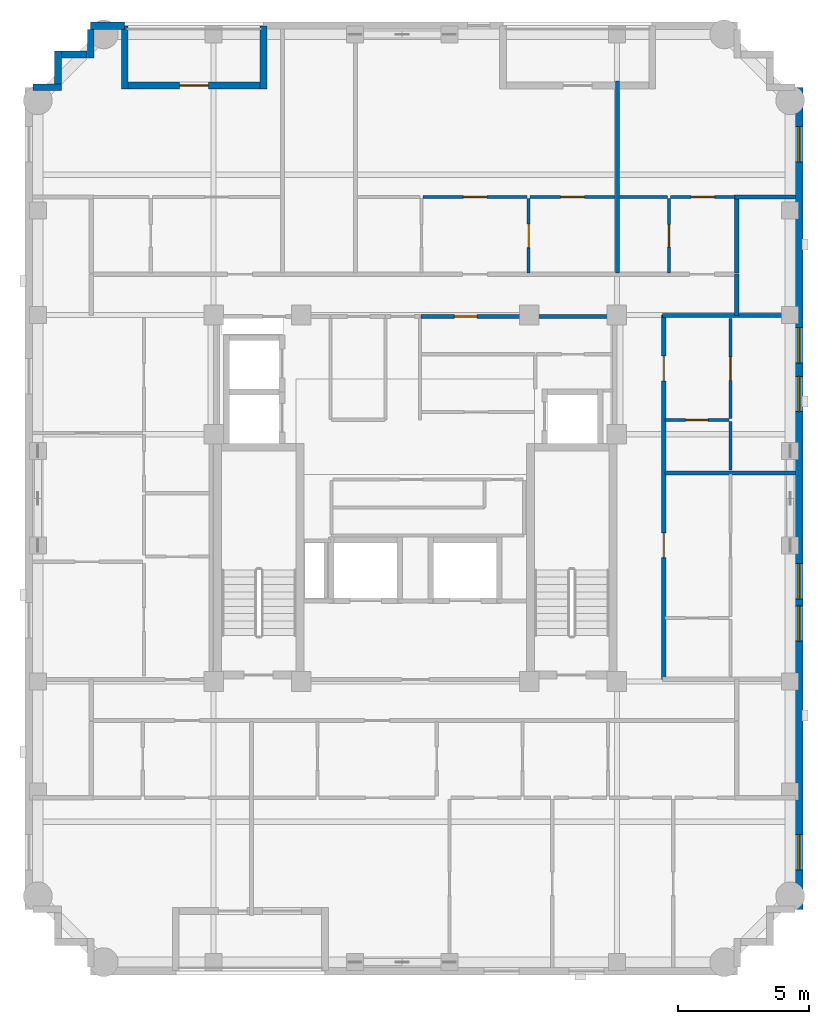
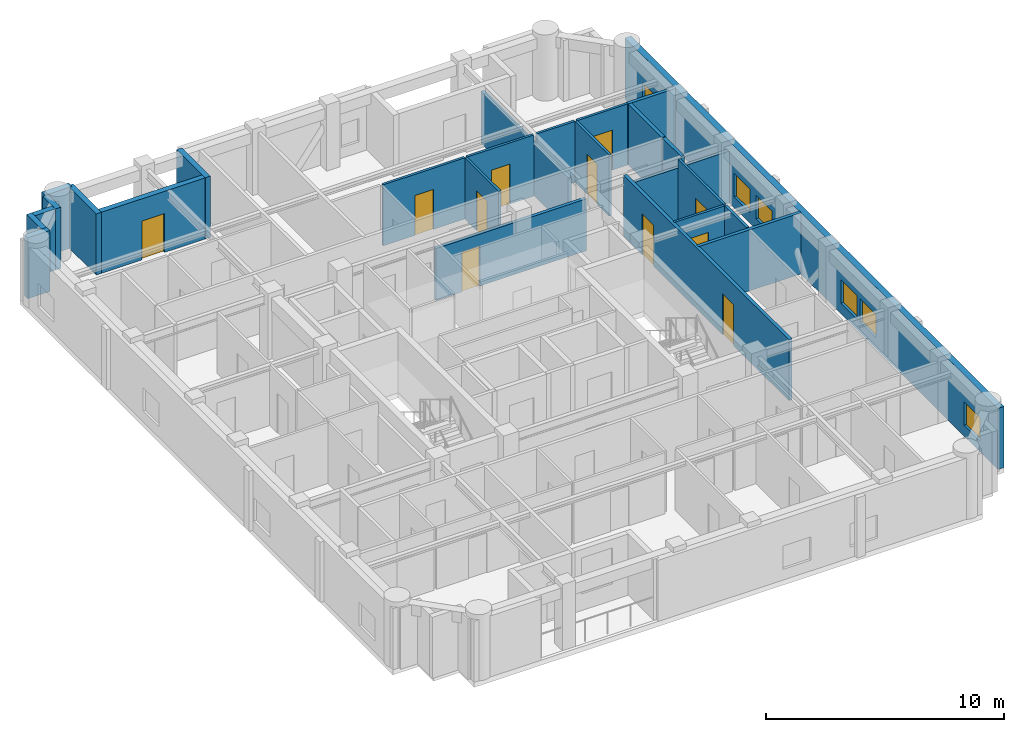
# One storey, part 6 of 10: 26 walls, 11 doors, 6 windows, 17 openings.
"""IFC4 building model written with IfcOpenShell, lengths in metres."""

from ifc_helpers import new_model, si_unit, derived_unit, direction, frame, frame_2d, origin, place, context, subcontext, project, spatial, rectangle, extrude, material, layer, layer_set, type_object, element, fill, save


model = new_model("IFC4")

# Units and contexts
model_context = context("Model", 3, precision=1e-05, world=origin(), true_north=direction((0.0, 1.0)))
body_context = subcontext(model_context, "Body", "Model", "MODEL_VIEW")
ifc_project = project(units=[si_unit("LENGTHUNIT", "METRE"), si_unit("AREAUNIT", "SQUARE_METRE"), si_unit("VOLUMEUNIT", "CUBIC_METRE"), si_unit("PLANEANGLEUNIT", "RADIAN"), si_unit("MASSUNIT", "GRAM", prefix="KILO"), derived_unit("THERMALTRANSMITTANCEUNIT", [(si_unit("MASSUNIT", "GRAM", prefix="KILO"), 1), (si_unit("TIMEUNIT", "SECOND"), -3), (si_unit("THERMODYNAMICTEMPERATUREUNIT", "KELVIN"), -1)])], contexts=[model_context])

# Site, building, storey
site_placement = place(None, origin())
site = spatial("IfcSite", under=ifc_project, at=site_placement, CompositionType="ELEMENT")
building_placement = place(site_placement, origin())
building = spatial("IfcBuilding", under=site, at=building_placement, Name="Korrvale Station Residences", CompositionType="ELEMENT")
storey_placement = place(building_placement, frame((0.0, 0.0, 217.300048828125)))
storey = spatial("IfcBuildingStorey", under=building, at=storey_placement, Name="L63", CompositionType="ELEMENT", Elevation=217.300048828125)

# Wall
ifc_material_1 = material(Name="Precast concrete C45/55", Category="concrete")
ifc_layer_1 = layer(ifc_material_1, 0.260009765625, Name="Precast concrete C45/55")
ifc_layer_set_1 = layer_set([ifc_layer_1], Name="Precast concrete C45/55")
wall_type_1 = type_object("IfcWallType", Name="WAL-EXT-LOG260", PredefinedType="SOLIDWALL", material=ifc_layer_set_1)
wall_1_placement = place(storey_placement, frame((14.39990234375, 40.0400390625, 0.0), z_axis=(0.0, 0.0, 1.0), x_axis=(0.0, -1.0, 0.0)))
element("IfcWall", 1, at=wall_1_placement, inside=storey, type_object=wall_type_1, Name="L63 Recessed Loggia Wall BAL-L63-N2-L", PredefinedType="SOLIDWALL", context=body_context, shape_type="SweptSolid", body=[
    extrude(rectangle(XDim=2.400146484375, YDim=0.260009765625, at=frame_2d((1.2001953125, 0.0))), origin(), (0.0, 0.0, 1.0), 3.139892578125),
])

# Wall, opening, door
wall_2_placement = place(storey_placement, frame((14.533935546875, 37.77001953125, 0.0), z_axis=(0.0, 0.0, 1.0), x_axis=(1.0, 0.0, 0.0)))
wall_2 = element("IfcWall", 2, at=wall_2_placement, inside=storey, type_object=wall_type_1, Name="L63 Recessed Loggia Wall BAL-L63-N2-B", PredefinedType="SOLIDWALL", context=body_context, shape_type="SweptSolid", body=[
    extrude(rectangle(XDim=5.031982421875, YDim=0.260009765625, at=frame_2d((2.51611328125, 0.0))), origin(), (0.0, 0.0, 1.0), 3.139892578125),
])
opening_1_placement = place(wall_2_placement, frame((1.966064453125, 0.0, 0.0)))
opening_1 = element("IfcOpeningElement", 3, at=opening_1_placement, cuts=wall_2, Name="Opening BD-01", PredefinedType="OPENING", context=body_context, shape_type="SweptSolid", body=[
    extrude(rectangle(XDim=1.10009765625, YDim=2.0, at=frame_2d((0.550048828125, 1.0))), frame((0.0, 0.14013671875, 0.0), z_axis=(0.0, -1.0, 0.0), x_axis=(1.0, 0.0, 0.0)), (0.0, 0.0, 1.0), 0.280029296875),
])
ifc_material_2 = material(Name="Exterior thermally broken aluminium glazed balcony door", Category="aluminium")
door_type_1 = type_object("IfcDoorType", Name="DR-EXT-BAL", OperationType="NOTDEFINED", PredefinedType="DOOR", material=ifc_material_2)
door_1_placement = place(opening_1_placement, origin())
door_1 = element("IfcDoor", 4, at=door_1_placement, inside=storey, type_object=door_type_1, Name="L63 Loggia Balcony Door BAL-L63-N2", OperationType="SINGLE_SWING_LEFT", OverallHeight=2.0, OverallWidth=1.10009765625, PredefinedType="DOOR", context=body_context, shape_type="SweptSolid", body=[
    extrude(rectangle(XDim=1.10009765625, YDim=2.0, at=frame_2d((0.550048828125, 1.0))), frame((0.0, 0.02490234375, 0.0), z_axis=(0.0, -1.0, 0.0), x_axis=(1.0, 0.0, 0.0)), (0.0, 0.0, 1.0), 0.050048828125),
])
fill(opening_1, door_1)

# Walls
wall_3_placement = place(storey_placement, frame((19.699951171875, 37.639892578125, 0.0), z_axis=(0.0, 0.0, 1.0), x_axis=(0.0, 1.0, 0.0)))
element("IfcWall", 5, at=wall_3_placement, inside=storey, type_object=wall_type_1, Name="L63 Recessed Loggia Wall BAL-L63-N2-R", PredefinedType="SOLIDWALL", context=body_context, shape_type="SweptSolid", body=[
    extrude(rectangle(XDim=2.400146484375, YDim=0.260009765625, at=frame_2d((1.2001953125, 0.0))), origin(), (0.0, 0.0, 1.0), 3.139892578125),
])
wall_4_placement = place(storey_placement, frame((10.902099609375, 37.699951171875, 0.0), z_axis=(0.0, 0.0, 1.0), x_axis=(1.0, 0.0, 0.0)))
element("IfcWall", 6, at=wall_4_placement, inside=storey, type_object=wall_type_1, Name="L63 Serrated Corner Precast Step NW-1", PredefinedType="SOLIDWALL", context=body_context, shape_type="SweptSolid", body=[
    extrude(rectangle(XDim=1.077880859375, YDim=0.260009765625, at=frame_2d((0.5390625, 0.0))), origin(), (0.0, 0.0, 1.0), 3.139892578125),
])
wall_5_placement = place(storey_placement, frame((11.85009765625, 37.83203125, 0.0), z_axis=(0.0, 0.0, 1.0), x_axis=(0.0, 1.0, 0.0)))
element("IfcWall", 7, at=wall_5_placement, inside=storey, type_object=wall_type_1, Name="L63 Serrated Corner Precast Step NW-2", PredefinedType="SOLIDWALL", context=body_context, shape_type="SweptSolid", body=[
    extrude(rectangle(XDim=1.248046875, YDim=0.260009765625, at=frame_2d((0.6240234375, 0.0))), origin(), (0.0, 0.0, 1.0), 3.139892578125),
])
wall_6_placement = place(storey_placement, frame((11.98193359375, 38.949951171875, 0.0), z_axis=(0.0, 0.0, 1.0), x_axis=(1.0, 0.0, 0.0)))
element("IfcWall", 8, at=wall_6_placement, inside=storey, type_object=wall_type_1, Name="L63 Serrated Corner Precast Step NW-3", PredefinedType="SOLIDWALL", context=body_context, shape_type="SweptSolid", body=[
    extrude(rectangle(XDim=0.986083984375, YDim=0.260009765625, at=frame_2d((0.4931640625, 0.0))), origin(), (0.0, 0.0, 1.0), 3.139892578125),
])
wall_7_placement = place(storey_placement, frame((13.10009765625, 38.820068359375, 0.0), z_axis=(0.0, 0.0, 1.0), x_axis=(0.0, 1.0, 0.0)))
element("IfcWall", 9, at=wall_7_placement, inside=storey, type_object=wall_type_1, Name="L63 Serrated Corner Precast Step NW-4", PredefinedType="SOLIDWALL", context=body_context, shape_type="SweptSolid", body=[
    extrude(rectangle(XDim=1.077880859375, YDim=0.260009765625, at=frame_2d((0.5390625, 0.0))), origin(), (0.0, 0.0, 1.0), 3.139892578125),
])
ifc_layer_2 = layer(ifc_material_1, 0.300048828125, Name="Precast concrete C45/55")
ifc_layer_set_2 = layer_set([ifc_layer_2], Name="Precast concrete C45/55")
wall_type_2 = type_object("IfcWallType", Name="WAL-EXT-PC300", PredefinedType="SOLIDWALL", material=ifc_layer_set_2)
wall_8_placement = place(storey_placement, frame((13.10009765625, 40.050048828125, 0.0), z_axis=(0.0, 0.0, 1.0), x_axis=(1.0, 0.0, 0.0)))
element("IfcWall", 10, at=wall_8_placement, inside=storey, type_object=wall_type_2, Name="L63 North Exterior Precast Wall 1", PredefinedType="SOLIDWALL", context=body_context, shape_type="SweptSolid", body=[
    extrude(rectangle(XDim=1.2998046875, YDim=0.300048828125, at=frame_2d((0.64990234375, 0.0))), origin(), (0.0, 0.0, 1.0), 3.139892578125),
])

# Wall, openings, windows
wall_9_placement = place(storey_placement, frame((40.14990234375, 37.699951171875, 0.0), z_axis=(0.0, 0.0, 1.0), x_axis=(0.0, -1.0, 0.0)))
wall_9 = element("IfcWall", 11, at=wall_9_placement, inside=storey, type_object=wall_type_2, Name="L63 East Exterior Precast Wall 1", PredefinedType="SOLIDWALL", context=body_context, shape_type="SweptSolid", body=[
    extrude(rectangle(XDim=31.39990234375, YDim=0.300048828125, at=frame_2d((15.699951171875, 0.0))), origin(), (0.0, 0.0, 1.0), 3.139892578125),
])
opening_2_placement = place(wall_9_placement, frame((28.5458984375, 0.0, 0.550048828125)))
opening_2 = element("IfcOpeningElement", 12, at=opening_2_placement, cuts=wall_9, Name="Opening W-10", PredefinedType="OPENING", context=body_context, shape_type="SweptSolid", body=[
    extrude(rectangle(XDim=1.35009765625, YDim=1.199951171875, at=frame_2d((0.675048828125, 0.60009765625))), frame((0.0, 0.16015625, 0.0), z_axis=(0.0, -1.0, 0.0), x_axis=(1.0, 0.0, 0.0)), (0.0, 0.0, 1.0), 0.320068359375),
])
opening_3_placement = place(wall_9_placement, frame((1.50390625, 0.0, 0.550048828125)))
opening_3 = element("IfcOpeningElement", 13, at=opening_3_placement, cuts=wall_9, Name="Opening W-10", PredefinedType="OPENING", context=body_context, shape_type="SweptSolid", body=[
    extrude(rectangle(XDim=1.35009765625, YDim=1.199951171875, at=frame_2d((0.675048828125, 0.60009765625))), frame((0.0, 0.16015625, 0.0), z_axis=(0.0, -1.0, 0.0), x_axis=(1.0, 0.0, 0.0)), (0.0, 0.0, 1.0), 0.320068359375),
])
opening_4_placement = place(wall_9_placement, frame((18.199951171875, 0.0, 0.550048828125)))
opening_4 = element("IfcOpeningElement", 14, at=opening_4_placement, cuts=wall_9, Name="Opening W-10", PredefinedType="OPENING", context=body_context, shape_type="SweptSolid", body=[
    extrude(rectangle(XDim=1.35009765625, YDim=1.199951171875, at=frame_2d((0.675048828125, 0.60009765625))), frame((0.0, 0.16015625, 0.0), z_axis=(0.0, -1.0, 0.0), x_axis=(1.0, 0.0, 0.0)), (0.0, 0.0, 1.0), 0.320068359375),
])
opening_5_placement = place(wall_9_placement, frame((19.81005859375, 0.0, 0.550048828125)))
opening_5 = element("IfcOpeningElement", 15, at=opening_5_placement, cuts=wall_9, Name="Opening W-10", PredefinedType="OPENING", context=body_context, shape_type="SweptSolid", body=[
    extrude(rectangle(XDim=1.35009765625, YDim=1.199951171875, at=frame_2d((0.675048828125, 0.60009765625))), frame((0.0, 0.16015625, 0.0), z_axis=(0.0, -1.0, 0.0), x_axis=(1.0, 0.0, 0.0)), (0.0, 0.0, 1.0), 0.320068359375),
])
opening_6_placement = place(wall_9_placement, frame((11.04296875, 0.0, 0.550048828125)))
opening_6 = element("IfcOpeningElement", 16, at=opening_6_placement, cuts=wall_9, Name="Opening W-10", PredefinedType="OPENING", context=body_context, shape_type="SweptSolid", body=[
    extrude(rectangle(XDim=1.35009765625, YDim=1.199951171875, at=frame_2d((0.675048828125, 0.60009765625))), frame((0.0, 0.16015625, 0.0), z_axis=(0.0, -1.0, 0.0), x_axis=(1.0, 0.0, 0.0)), (0.0, 0.0, 1.0), 0.320068359375),
])
opening_7_placement = place(wall_9_placement, frame((9.18505859375, 0.0, 0.550048828125)))
opening_7 = element("IfcOpeningElement", 17, at=opening_7_placement, cuts=wall_9, Name="Opening W-10", PredefinedType="OPENING", context=body_context, shape_type="SweptSolid", body=[
    extrude(rectangle(XDim=1.35009765625, YDim=1.199951171875, at=frame_2d((0.675048828125, 0.60009765625))), frame((0.0, 0.16015625, 0.0), z_axis=(0.0, -1.0, 0.0), x_axis=(1.0, 0.0, 0.0)), (0.0, 0.0, 1.0), 0.320068359375),
])
ifc_material_3 = material(Name="Thermally broken aluminium frame with triple low-e glazing", Category="aluminium")
window_type = type_object("IfcWindowType", Name="WIN-W10", PartitioningType="SINGLE_PANEL", PredefinedType="WINDOW", material=ifc_material_3)
window_1_placement = place(opening_2_placement, origin())
window_1 = element("IfcWindow", 18, at=window_1_placement, inside=storey, type_object=window_type, Name="L63 Punched Window 05", OverallHeight=1.199951171875, OverallWidth=1.35009765625, PartitioningType="SINGLE_PANEL", PredefinedType="WINDOW", context=body_context, shape_type="SweptSolid", body=[
    extrude(rectangle(XDim=1.35009765625, YDim=1.199951171875, at=frame_2d((0.675048828125, 0.60009765625))), frame((0.0, 0.030029296875, 0.0), z_axis=(0.0, -1.0, 0.0), x_axis=(1.0, 0.0, 0.0)), (0.0, 0.0, 1.0), 0.06005859375),
])
fill(opening_2, window_1)
window_2_placement = place(opening_3_placement, origin())
window_2 = element("IfcWindow", 19, at=window_2_placement, inside=storey, type_object=window_type, Name="L63 Punched Window 08", OverallHeight=1.199951171875, OverallWidth=1.35009765625, PartitioningType="SINGLE_PANEL", PredefinedType="WINDOW", context=body_context, shape_type="SweptSolid", body=[
    extrude(rectangle(XDim=1.35009765625, YDim=1.199951171875, at=frame_2d((0.675048828125, 0.60009765625))), frame((0.0, 0.030029296875, 0.0), z_axis=(0.0, -1.0, 0.0), x_axis=(1.0, 0.0, 0.0)), (0.0, 0.0, 1.0), 0.06005859375),
])
fill(opening_3, window_2)
window_3_placement = place(opening_4_placement, origin())
window_3 = element("IfcWindow", 20, at=window_3_placement, inside=storey, type_object=window_type, Name="L63 Punched Window 11", OverallHeight=1.199951171875, OverallWidth=1.35009765625, PartitioningType="SINGLE_PANEL", PredefinedType="WINDOW", context=body_context, shape_type="SweptSolid", body=[
    extrude(rectangle(XDim=1.35009765625, YDim=1.199951171875, at=frame_2d((0.675048828125, 0.60009765625))), frame((0.0, 0.030029296875, 0.0), z_axis=(0.0, -1.0, 0.0), x_axis=(1.0, 0.0, 0.0)), (0.0, 0.0, 1.0), 0.06005859375),
])
fill(opening_4, window_3)
window_4_placement = place(opening_5_placement, origin())
window_4 = element("IfcWindow", 21, at=window_4_placement, inside=storey, type_object=window_type, Name="L63 Punched Window 12", OverallHeight=1.199951171875, OverallWidth=1.35009765625, PartitioningType="SINGLE_PANEL", PredefinedType="WINDOW", context=body_context, shape_type="SweptSolid", body=[
    extrude(rectangle(XDim=1.35009765625, YDim=1.199951171875, at=frame_2d((0.675048828125, 0.60009765625))), frame((0.0, 0.030029296875, 0.0), z_axis=(0.0, -1.0, 0.0), x_axis=(1.0, 0.0, 0.0)), (0.0, 0.0, 1.0), 0.06005859375),
])
fill(opening_5, window_4)
window_5_placement = place(opening_6_placement, origin())
window_5 = element("IfcWindow", 22, at=window_5_placement, inside=storey, type_object=window_type, Name="L63 Punched Window 13", OverallHeight=1.199951171875, OverallWidth=1.35009765625, PartitioningType="SINGLE_PANEL", PredefinedType="WINDOW", context=body_context, shape_type="SweptSolid", body=[
    extrude(rectangle(XDim=1.35009765625, YDim=1.199951171875, at=frame_2d((0.675048828125, 0.60009765625))), frame((0.0, 0.030029296875, 0.0), z_axis=(0.0, -1.0, 0.0), x_axis=(1.0, 0.0, 0.0)), (0.0, 0.0, 1.0), 0.06005859375),
])
fill(opening_6, window_5)
window_6_placement = place(opening_7_placement, origin())
window_6 = element("IfcWindow", 23, at=window_6_placement, inside=storey, type_object=window_type, Name="L63 Punched Window 14", OverallHeight=1.199951171875, OverallWidth=1.35009765625, PartitioningType="SINGLE_PANEL", PredefinedType="WINDOW", context=body_context, shape_type="SweptSolid", body=[
    extrude(rectangle(XDim=1.35009765625, YDim=1.199951171875, at=frame_2d((0.675048828125, 0.60009765625))), frame((0.0, 0.030029296875, 0.0), z_axis=(0.0, -1.0, 0.0), x_axis=(1.0, 0.0, 0.0)), (0.0, 0.0, 1.0), 0.06005859375),
])
fill(opening_7, window_6)

# Wall, opening, door
ifc_material_4 = material(Name="Acoustic steel-stud gypsum board partition", Category="steel")
ifc_layer_3 = layer(ifc_material_4, 0.1201171875, Name="Acoustic steel-stud gypsum board partition")
ifc_layer_set_3 = layer_set([ifc_layer_3], Name="Acoustic steel-stud gypsum board partition")
wall_type_3 = type_object("IfcWallType", Name="WAL-PART-125", PredefinedType="PARTITIONING", material=ifc_layer_set_3)
wall_10_placement = place(storey_placement, frame((29.830078125, 30.60009765625, 0.0), z_axis=(0.0, 0.0, 1.0), x_axis=(0.0, 1.0, 0.0)))
wall_10 = element("IfcWall", 24, at=wall_10_placement, inside=storey, type_object=wall_type_3, Name="L63 Suite Partition U04-V12", PredefinedType="PARTITIONING", context=body_context, shape_type="SweptSolid", body=[
    extrude(rectangle(XDim=2.849853515625, YDim=0.1201171875, at=frame_2d((1.4248046875, 0.0))), origin(), (0.0, 0.0, 1.0), 3.139892578125),
])
opening_8_placement = place(wall_10_placement, frame((0.97509765625, 0.0, 0.0)))
opening_8 = element("IfcOpeningElement", 25, at=opening_8_placement, cuts=wall_10, Name="Opening DI-900", PredefinedType="OPENING", context=body_context, shape_type="SweptSolid", body=[
    extrude(rectangle(XDim=0.89990234375, YDim=2.050048828125, at=frame_2d((0.449951171875, 1.02490234375))), frame((0.0, 0.070068359375, 0.0), z_axis=(0.0, -1.0, 0.0), x_axis=(1.0, 0.0, 0.0)), (0.0, 0.0, 1.0), 0.14013671875),
])
ifc_material_5 = material(Name="Painted solid-core timber interior room door", Category="wood")
door_type_2 = type_object("IfcDoorType", Name="DR-INT-900", OperationType="NOTDEFINED", PredefinedType="DOOR", material=ifc_material_5)
door_2_placement = place(opening_8_placement, origin())
door_2 = element("IfcDoor", 26, at=door_2_placement, inside=storey, type_object=door_type_2, Name="L63 Studio Apartment L63-U04 Kitchen Door", OperationType="SINGLE_SWING_RIGHT", OverallHeight=2.050048828125, OverallWidth=0.89990234375, PredefinedType="DOOR", context=body_context, shape_type="SweptSolid", body=[
    extrude(rectangle(XDim=0.89990234375, YDim=2.050048828125, at=frame_2d((0.449951171875, 1.02490234375))), frame((0.0, 0.02490234375, 0.0), z_axis=(0.0, -1.0, 0.0), x_axis=(1.0, 0.0, 0.0)), (0.0, 0.0, 1.0), 0.050048828125),
])
fill(opening_8, door_2)

wall_11_placement = place(storey_placement, frame((25.800048828125, 33.510009765625, 0.0), z_axis=(0.0, 0.0, 1.0), x_axis=(1.0, 0.0, 0.0)))
wall_11 = element("IfcWall", 27, at=wall_11_placement, inside=storey, type_object=wall_type_3, Name="L63 Suite Partition U04-H13", PredefinedType="PARTITIONING", context=body_context, shape_type="SweptSolid", body=[
    extrude(rectangle(XDim=3.969970703125, YDim=0.1201171875, at=frame_2d((1.98486328125, 0.0))), origin(), (0.0, 0.0, 1.0), 3.139892578125),
])
opening_9_placement = place(wall_11_placement, frame((1.534912109375, 0.0, 0.0)))
opening_9 = element("IfcOpeningElement", 28, at=opening_9_placement, cuts=wall_11, Name="Opening DI-900", PredefinedType="OPENING", context=body_context, shape_type="SweptSolid", body=[
    extrude(rectangle(XDim=0.89990234375, YDim=2.050048828125, at=frame_2d((0.449951171875, 1.02490234375))), frame((0.0, 0.070068359375, 0.0), z_axis=(0.0, -1.0, 0.0), x_axis=(1.0, 0.0, 0.0)), (0.0, 0.0, 1.0), 0.14013671875),
])
door_3_placement = place(opening_9_placement, origin())
door_3 = element("IfcDoor", 29, at=door_3_placement, inside=storey, type_object=door_type_2, Name="L63 Studio Apartment L63-U04 Kitchen Door", OperationType="SINGLE_SWING_LEFT", OverallHeight=2.050048828125, OverallWidth=0.89990234375, PredefinedType="DOOR", context=body_context, shape_type="SweptSolid", body=[
    extrude(rectangle(XDim=0.89990234375, YDim=2.050048828125, at=frame_2d((0.449951171875, 1.02490234375))), frame((0.0, 0.02490234375, 0.0), z_axis=(0.0, -1.0, 0.0), x_axis=(1.0, 0.0, 0.0)), (0.0, 0.0, 1.0), 0.050048828125),
])
fill(opening_9, door_3)

wall_12_placement = place(storey_placement, frame((29.889892578125, 33.510009765625, 0.0), z_axis=(0.0, 0.0, 1.0), x_axis=(1.0, 0.0, 0.0)))
wall_12 = element("IfcWall", 30, at=wall_12_placement, inside=storey, type_object=wall_type_3, Name="L63 Suite Partition U04-H23", PredefinedType="PARTITIONING", context=body_context, shape_type="SweptSolid", body=[
    extrude(rectangle(XDim=3.230224609375, YDim=0.1201171875, at=frame_2d((1.615234375, 0.0))), origin(), (0.0, 0.0, 1.0), 3.139892578125),
])
opening_10_placement = place(wall_12_placement, frame((1.1650390625, 0.0, 0.0)))
opening_10 = element("IfcOpeningElement", 31, at=opening_10_placement, cuts=wall_12, Name="Opening DI-900", PredefinedType="OPENING", context=body_context, shape_type="SweptSolid", body=[
    extrude(rectangle(XDim=0.89990234375, YDim=2.050048828125, at=frame_2d((0.449951171875, 1.02490234375))), frame((0.0, 0.070068359375, 0.0), z_axis=(0.0, -1.0, 0.0), x_axis=(1.0, 0.0, 0.0)), (0.0, 0.0, 1.0), 0.14013671875),
])
door_4_placement = place(opening_10_placement, origin())
door_4 = element("IfcDoor", 32, at=door_4_placement, inside=storey, type_object=door_type_2, Name="L63 Studio Apartment L63-U04 Home Study Room Door", OperationType="SINGLE_SWING_RIGHT", OverallHeight=2.050048828125, OverallWidth=0.89990234375, PredefinedType="DOOR", context=body_context, shape_type="SweptSolid", body=[
    extrude(rectangle(XDim=0.89990234375, YDim=2.050048828125, at=frame_2d((0.449951171875, 1.02490234375))), frame((0.0, 0.02490234375, 0.0), z_axis=(0.0, -1.0, 0.0), x_axis=(1.0, 0.0, 0.0)), (0.0, 0.0, 1.0), 0.050048828125),
])
fill(opening_10, door_4)

wall_13_placement = place(storey_placement, frame((35.18994140625, 30.60009765625, 0.0), z_axis=(0.0, 0.0, 1.0), x_axis=(0.0, 1.0, 0.0)))
wall_13 = element("IfcWall", 33, at=wall_13_placement, inside=storey, type_object=wall_type_3, Name="L63 Suite Partition U05-V01", PredefinedType="PARTITIONING", context=body_context, shape_type="SweptSolid", body=[
    extrude(rectangle(XDim=2.849853515625, YDim=0.1201171875, at=frame_2d((1.4248046875, 0.0))), origin(), (0.0, 0.0, 1.0), 3.139892578125),
])
opening_11_placement = place(wall_13_placement, frame((0.9951171875, 0.0, 0.0)))
opening_11 = element("IfcOpeningElement", 34, at=opening_11_placement, cuts=wall_13, Name="Opening DB-860", PredefinedType="OPENING", context=body_context, shape_type="SweptSolid", body=[
    extrude(rectangle(XDim=0.860107421875, YDim=2.050048828125, at=frame_2d((0.43017578125, 1.02490234375))), frame((0.0, 0.070068359375, 0.0), z_axis=(0.0, -1.0, 0.0), x_axis=(1.0, 0.0, 0.0)), (0.0, 0.0, 1.0), 0.14013671875),
])
ifc_material_6 = material(Name="Moisture-resistant solid-core bathroom door", Category="timber")
door_type_3 = type_object("IfcDoorType", Name="DR-BATH-860", OperationType="NOTDEFINED", PredefinedType="DOOR", material=ifc_material_6)
door_5_placement = place(opening_11_placement, origin())
door_5 = element("IfcDoor", 35, at=door_5_placement, inside=storey, type_object=door_type_3, Name="L63 Studio Apartment L63-U05 Bathroom Door", OperationType="SINGLE_SWING_LEFT", OverallHeight=2.050048828125, OverallWidth=0.860107421875, PredefinedType="DOOR", context=body_context, shape_type="SweptSolid", body=[
    extrude(rectangle(XDim=0.860107421875, YDim=2.050048828125, at=frame_2d((0.43017578125, 1.02490234375))), frame((0.0, 0.02490234375, 0.0), z_axis=(0.0, -1.0, 0.0), x_axis=(1.0, 0.0, 0.0)), (0.0, 0.0, 1.0), 0.050048828125),
])
fill(opening_11, door_5)

# Wall
wall_14_placement = place(storey_placement, frame((33.280029296875, 33.510009765625, 0.0), z_axis=(0.0, 0.0, 1.0), x_axis=(1.0, 0.0, 0.0)))
element("IfcWall", 36, at=wall_14_placement, inside=storey, type_object=wall_type_3, Name="L63 Suite Partition U05-H02", PredefinedType="PARTITIONING", context=body_context, shape_type="SweptSolid", body=[
    extrude(rectangle(XDim=1.849853515625, YDim=0.1201171875, at=frame_2d((0.9248046875, 0.0))), origin(), (0.0, 0.0, 1.0), 3.139892578125),
])

# Wall, opening, door
wall_15_placement = place(storey_placement, frame((35.25, 33.510009765625, 0.0), z_axis=(0.0, 0.0, 1.0), x_axis=(1.0, 0.0, 0.0)))
wall_15 = element("IfcWall", 37, at=wall_15_placement, inside=storey, type_object=wall_type_3, Name="L63 Suite Partition U05-H12", PredefinedType="PARTITIONING", context=body_context, shape_type="SweptSolid", body=[
    extrude(rectangle(XDim=2.469970703125, YDim=0.1201171875, at=frame_2d((1.23486328125, 0.0))), origin(), (0.0, 0.0, 1.0), 3.139892578125),
])
opening_12_placement = place(wall_15_placement, frame((0.784912109375, 0.0, 0.0)))
opening_12 = element("IfcOpeningElement", 38, at=opening_12_placement, cuts=wall_15, Name="Opening DI-900", PredefinedType="OPENING", context=body_context, shape_type="SweptSolid", body=[
    extrude(rectangle(XDim=0.89990234375, YDim=2.050048828125, at=frame_2d((0.449951171875, 1.02490234375))), frame((0.0, 0.070068359375, 0.0), z_axis=(0.0, -1.0, 0.0), x_axis=(1.0, 0.0, 0.0)), (0.0, 0.0, 1.0), 0.14013671875),
])
door_6_placement = place(opening_12_placement, origin())
door_6 = element("IfcDoor", 39, at=door_6_placement, inside=storey, type_object=door_type_2, Name="L63 Studio Apartment L63-U05 Kitchen Door", OperationType="SINGLE_SWING_RIGHT", OverallHeight=2.050048828125, OverallWidth=0.89990234375, PredefinedType="DOOR", context=body_context, shape_type="SweptSolid", body=[
    extrude(rectangle(XDim=0.89990234375, YDim=2.050048828125, at=frame_2d((0.449951171875, 1.02490234375))), frame((0.0, 0.02490234375, 0.0), z_axis=(0.0, -1.0, 0.0), x_axis=(1.0, 0.0, 0.0)), (0.0, 0.0, 1.0), 0.050048828125),
])
fill(opening_12, door_6)

wall_16_placement = place(storey_placement, frame((35.030029296875, 24.991943359375, 0.0), z_axis=(0.0, 0.0, 1.0), x_axis=(1.0, 0.0, 0.0)))
wall_16 = element("IfcWall", 40, at=wall_16_placement, inside=storey, type_object=wall_type_3, Name="L63 Suite Partition U08-H01", PredefinedType="PARTITIONING", context=body_context, shape_type="SweptSolid", body=[
    extrude(rectangle(XDim=2.449951171875, YDim=0.1201171875, at=frame_2d((1.22509765625, 0.0))), origin(), (0.0, 0.0, 1.0), 3.139892578125),
])
opening_13_placement = place(wall_16_placement, frame((0.794921875, 0.0, 0.0)))
opening_13 = element("IfcOpeningElement", 41, at=opening_13_placement, cuts=wall_16, Name="Opening DB-860", PredefinedType="OPENING", context=body_context, shape_type="SweptSolid", body=[
    extrude(rectangle(XDim=0.860107421875, YDim=2.050048828125, at=frame_2d((0.43017578125, 1.02490234375))), frame((0.0, 0.070068359375, 0.0), z_axis=(0.0, -1.0, 0.0), x_axis=(1.0, 0.0, 0.0)), (0.0, 0.0, 1.0), 0.14013671875),
])
door_7_placement = place(opening_13_placement, origin())
door_7 = element("IfcDoor", 42, at=door_7_placement, inside=storey, type_object=door_type_3, Name="L63 Studio Apartment L63-U08 Bathroom Door", OperationType="SINGLE_SWING_RIGHT", OverallHeight=2.050048828125, OverallWidth=0.860107421875, PredefinedType="DOOR", context=body_context, shape_type="SweptSolid", body=[
    extrude(rectangle(XDim=0.860107421875, YDim=2.050048828125, at=frame_2d((0.43017578125, 1.02490234375))), frame((0.0, 0.02490234375, 0.0), z_axis=(0.0, -1.0, 0.0), x_axis=(1.0, 0.0, 0.0)), (0.0, 0.0, 1.0), 0.050048828125),
])
fill(opening_13, door_7)

# Wall
wall_17_placement = place(storey_placement, frame((37.5400390625, 23.08203125, 0.0), z_axis=(0.0, 0.0, 1.0), x_axis=(0.0, 1.0, 0.0)))
element("IfcWall", 43, at=wall_17_placement, inside=storey, type_object=wall_type_3, Name="L63 Suite Partition U08-V02", PredefinedType="PARTITIONING", context=body_context, shape_type="SweptSolid", body=[
    extrude(rectangle(XDim=1.849853515625, YDim=0.1201171875, at=frame_2d((0.9248046875, 0.0))), origin(), (0.0, 0.0, 1.0), 3.139892578125),
])

# Wall, opening, door
wall_18_placement = place(storey_placement, frame((37.5400390625, 25.052001953125, 0.0), z_axis=(0.0, 0.0, 1.0), x_axis=(0.0, 1.0, 0.0)))
wall_18 = element("IfcWall", 44, at=wall_18_placement, inside=storey, type_object=wall_type_3, Name="L63 Suite Partition U08-V12", PredefinedType="PARTITIONING", context=body_context, shape_type="SweptSolid", body=[
    extrude(rectangle(XDim=3.80810546875, YDim=0.1201171875, at=frame_2d((1.904052734375, 0.0))), origin(), (0.0, 0.0, 1.0), 3.139892578125),
])
opening_14_placement = place(wall_18_placement, frame((1.4541015625, 0.0, 0.0)))
opening_14 = element("IfcOpeningElement", 45, at=opening_14_placement, cuts=wall_18, Name="Opening DI-900", PredefinedType="OPENING", context=body_context, shape_type="SweptSolid", body=[
    extrude(rectangle(XDim=0.89990234375, YDim=2.050048828125, at=frame_2d((0.449951171875, 1.02490234375))), frame((0.0, 0.070068359375, 0.0), z_axis=(0.0, -1.0, 0.0), x_axis=(1.0, 0.0, 0.0)), (0.0, 0.0, 1.0), 0.14013671875),
])
door_8_placement = place(opening_14_placement, origin())
door_8 = element("IfcDoor", 46, at=door_8_placement, inside=storey, type_object=door_type_2, Name="L63 Studio Apartment L63-U08 Kitchen Door", OperationType="SINGLE_SWING_LEFT", OverallHeight=2.050048828125, OverallWidth=0.89990234375, PredefinedType="DOOR", context=body_context, shape_type="SweptSolid", body=[
    extrude(rectangle(XDim=0.89990234375, YDim=2.050048828125, at=frame_2d((0.449951171875, 1.02490234375))), frame((0.0, 0.02490234375, 0.0), z_axis=(0.0, -1.0, 0.0), x_axis=(1.0, 0.0, 0.0)), (0.0, 0.0, 1.0), 0.050048828125),
])
fill(opening_14, door_8)

ifc_material_7 = material(Name="Fire-rated twin-stud gypsum and mineral wool shaftwall assembly", Category="gypsum")
ifc_layer_4 = layer(ifc_material_7, 0.159912109375, Name="Fire-rated twin-stud gypsum and mineral wool shaftwall assembly")
ifc_layer_set_4 = layer_set([ifc_layer_4], Name="Fire-rated twin-stud gypsum and mineral wool shaftwall assembly")
wall_type_4 = type_object("IfcWallType", Name="WAL-PART-200", PredefinedType="PARTITIONING", material=ifc_layer_set_4)
wall_19_placement = place(storey_placement, frame((25.719970703125, 28.949951171875, 0.0), z_axis=(0.0, 0.0, 1.0), x_axis=(1.0, 0.0, 0.0)))
wall_19 = element("IfcWall", 47, at=wall_19_placement, inside=storey, type_object=wall_type_4, Name="L63 Core Partition CW-FPLE-N", PredefinedType="PARTITIONING", context=body_context, shape_type="SweptSolid", body=[
    extrude(rectangle(XDim=7.320068359375, YDim=0.159912109375, at=frame_2d((3.66015625, 0.0))), origin(), (0.0, 0.0, 1.0), 2.66796875),
])
opening_15_placement = place(wall_19_placement, frame((1.27001953125, 0.0, 0.0)))
opening_15 = element("IfcOpeningElement", 48, at=opening_15_placement, cuts=wall_19, Name="Opening DB-860", PredefinedType="OPENING", context=body_context, shape_type="SweptSolid", body=[
    extrude(rectangle(XDim=0.860107421875, YDim=2.050048828125, at=frame_2d((0.43017578125, 1.02490234375))), frame((0.0, 0.08984375, 0.0), z_axis=(0.0, -1.0, 0.0), x_axis=(1.0, 0.0, 0.0)), (0.0, 0.0, 1.0), 0.179931640625),
])
door_9_placement = place(opening_15_placement, origin())
door_9 = element("IfcDoor", 49, at=door_9_placement, inside=storey, type_object=door_type_3, Name="L63 Luggage Pantry Door", OperationType="SINGLE_SWING_RIGHT", OverallHeight=2.050048828125, OverallWidth=0.860107421875, PredefinedType="DOOR", context=body_context, shape_type="SweptSolid", body=[
    extrude(rectangle(XDim=0.860107421875, YDim=2.050048828125, at=frame_2d((0.43017578125, 1.02490234375))), frame((0.0, 0.02490234375, 0.0), z_axis=(0.0, -1.0, 0.0), x_axis=(1.0, 0.0, 0.0)), (0.0, 0.0, 1.0), 0.050048828125),
])
fill(opening_15, door_9)

# Walls
wall_20_placement = place(storey_placement, frame((37.780029296875, 28.97998046875, 0.0), z_axis=(0.0, 0.0, 1.0), x_axis=(0.0, 1.0, 0.0)))
element("IfcWall", 50, at=wall_20_placement, inside=storey, type_object=wall_type_4, Name="L63 Corridor North East Cap", PredefinedType="PARTITIONING", context=body_context, shape_type="SweptSolid", body=[
    extrude(rectangle(XDim=1.580078125, YDim=0.159912109375, at=frame_2d((0.7900390625, 0.0))), origin(), (0.0, 0.0, 1.0), 3.139892578125),
])
wall_21_placement = place(storey_placement, frame((34.949951171875, 28.97998046875, 0.0), z_axis=(0.0, 0.0, 1.0), x_axis=(1.0, 0.0, 0.0)))
element("IfcWall", 51, at=wall_21_placement, inside=storey, type_object=wall_type_4, Name="L63 East Wing North Corridor Wall", PredefinedType="PARTITIONING", context=body_context, shape_type="SweptSolid", body=[
    extrude(rectangle(XDim=5.070068359375, YDim=0.159912109375, at=frame_2d((2.53515625, 0.0))), origin(), (0.0, 0.0, 1.0), 2.66796875),
])
wall_22_placement = place(storey_placement, frame((37.679931640625, 33.510009765625, 0.0), z_axis=(0.0, 0.0, 1.0), x_axis=(1.0, 0.0, 0.0)))
element("IfcWall", 52, at=wall_22_placement, inside=storey, type_object=wall_type_4, Name="L63 Corner Step Wall U05-R", PredefinedType="PARTITIONING", context=body_context, shape_type="SweptSolid", body=[
    extrude(rectangle(XDim=2.340087890625, YDim=0.159912109375, at=frame_2d((1.169921875, 0.0))), origin(), (0.0, 0.0, 1.0), 3.139892578125),
])
wall_23_placement = place(storey_placement, frame((37.780029296875, 30.60009765625, 0.0), z_axis=(0.0, 0.0, 1.0), x_axis=(0.0, 1.0, 0.0)))
element("IfcWall", 53, at=wall_23_placement, inside=storey, type_object=wall_type_4, Name="L63 Corner Step Cheek U05-R", PredefinedType="PARTITIONING", context=body_context, shape_type="SweptSolid", body=[
    extrude(rectangle(XDim=2.909912109375, YDim=0.159912109375, at=frame_2d((1.455078125, 0.0))), origin(), (0.0, 0.0, 1.0), 3.139892578125),
])
wall_24_placement = place(storey_placement, frame((33.219970703125, 30.60009765625, 0.0), z_axis=(0.0, 0.0, 1.0), x_axis=(0.0, 1.0, 0.0)))
element("IfcWall", 54, at=wall_24_placement, inside=storey, type_object=wall_type_4, Name="L63 Demising Wall U05-W", PredefinedType="PARTITIONING", context=body_context, shape_type="SweptSolid", body=[
    extrude(rectangle(XDim=7.33984375, YDim=0.159912109375, at=frame_2d((3.669921875, 0.0))), origin(), (0.0, 0.0, 1.0), 2.66796875),
])
wall_25_placement = place(storey_placement, frame((35.030029296875, 22.9619140625, 0.0), z_axis=(0.0, 0.0, 1.0), x_axis=(1.0, 0.0, 0.0)))
element("IfcWall", 55, at=wall_25_placement, inside=storey, type_object=wall_type_4, Name="L63 Demising Wall U07-N", PredefinedType="PARTITIONING", context=body_context, shape_type="SweptSolid", body=[
    extrude(rectangle(XDim=4.989990234375, YDim=0.159912109375, at=frame_2d((2.4951171875, 0.0))), origin(), (0.0, 0.0, 1.0), 3.139892578125),
])

# Wall, openings, doors
wall_26_placement = place(storey_placement, frame((34.989990234375, 15.070068359375, 0.0), z_axis=(0.0, 0.0, 1.0), x_axis=(0.0, 1.0, 0.0)))
wall_26 = element("IfcWall", 56, at=wall_26_placement, inside=storey, type_object=wall_type_4, Name="L63 Rated Corridor Wall E", PredefinedType="PARTITIONING", context=body_context, shape_type="SweptSolid", body=[
    extrude(rectangle(XDim=13.929931640625, YDim=0.159912109375, at=frame_2d((6.96484375, 0.0))), origin(), (0.0, 0.0, 1.0), 3.139892578125),
])
opening_16_placement = place(wall_26_placement, frame((4.660888671875, 0.0, 0.0)))
opening_16 = element("IfcOpeningElement", 57, at=opening_16_placement, cuts=wall_26, Name="Opening UD-950", PredefinedType="OPENING", context=body_context, shape_type="SweptSolid", body=[
    extrude(rectangle(XDim=0.949951171875, YDim=2.10009765625, at=frame_2d((0.47509765625, 1.050048828125))), frame((0.0, 0.08984375, 0.0), z_axis=(0.0, -1.0, 0.0), x_axis=(1.0, 0.0, 0.0)), (0.0, 0.0, 1.0), 0.179931640625),
])
opening_17_placement = place(wall_26_placement, frame((11.410888671875, 0.0, 0.0)))
opening_17 = element("IfcOpeningElement", 58, at=opening_17_placement, cuts=wall_26, Name="Opening UD-950", PredefinedType="OPENING", context=body_context, shape_type="SweptSolid", body=[
    extrude(rectangle(XDim=0.949951171875, YDim=2.10009765625, at=frame_2d((0.47509765625, 1.050048828125))), frame((0.0, 0.08984375, 0.0), z_axis=(0.0, -1.0, 0.0), x_axis=(1.0, 0.0, 0.0)), (0.0, 0.0, 1.0), 0.179931640625),
])
ifc_material_8 = material(Name="Solid-core acoustic oak apartment entrance door", Category="timber")
door_type_4 = type_object("IfcDoorType", Name="DR-UNIT-950", OperationType="NOTDEFINED", PredefinedType="DOOR", material=ifc_material_8)
door_10_placement = place(opening_16_placement, origin())
door_10 = element("IfcDoor", 59, at=door_10_placement, inside=storey, type_object=door_type_4, Name="L63 Apartment L63-U07 Entrance Door", OperationType="SINGLE_SWING_LEFT", OverallHeight=2.10009765625, OverallWidth=0.949951171875, PredefinedType="DOOR", context=body_context, shape_type="SweptSolid", body=[
    extrude(rectangle(XDim=0.949951171875, YDim=2.10009765625, at=frame_2d((0.47509765625, 1.050048828125))), frame((0.0, 0.02490234375, 0.0), z_axis=(0.0, -1.0, 0.0), x_axis=(1.0, 0.0, 0.0)), (0.0, 0.0, 1.0), 0.050048828125),
])
fill(opening_16, door_10)
door_11_placement = place(opening_17_placement, origin())
door_11 = element("IfcDoor", 60, at=door_11_placement, inside=storey, type_object=door_type_4, Name="L63 Apartment L63-U08 Entrance Door", OperationType="SINGLE_SWING_RIGHT", OverallHeight=2.10009765625, OverallWidth=0.949951171875, PredefinedType="DOOR", context=body_context, shape_type="SweptSolid", body=[
    extrude(rectangle(XDim=0.949951171875, YDim=2.10009765625, at=frame_2d((0.47509765625, 1.050048828125))), frame((0.0, 0.02490234375, 0.0), z_axis=(0.0, -1.0, 0.0), x_axis=(1.0, 0.0, 0.0)), (0.0, 0.0, 1.0), 0.050048828125),
])
fill(opening_17, door_11)

save(model, "model.ifc")
